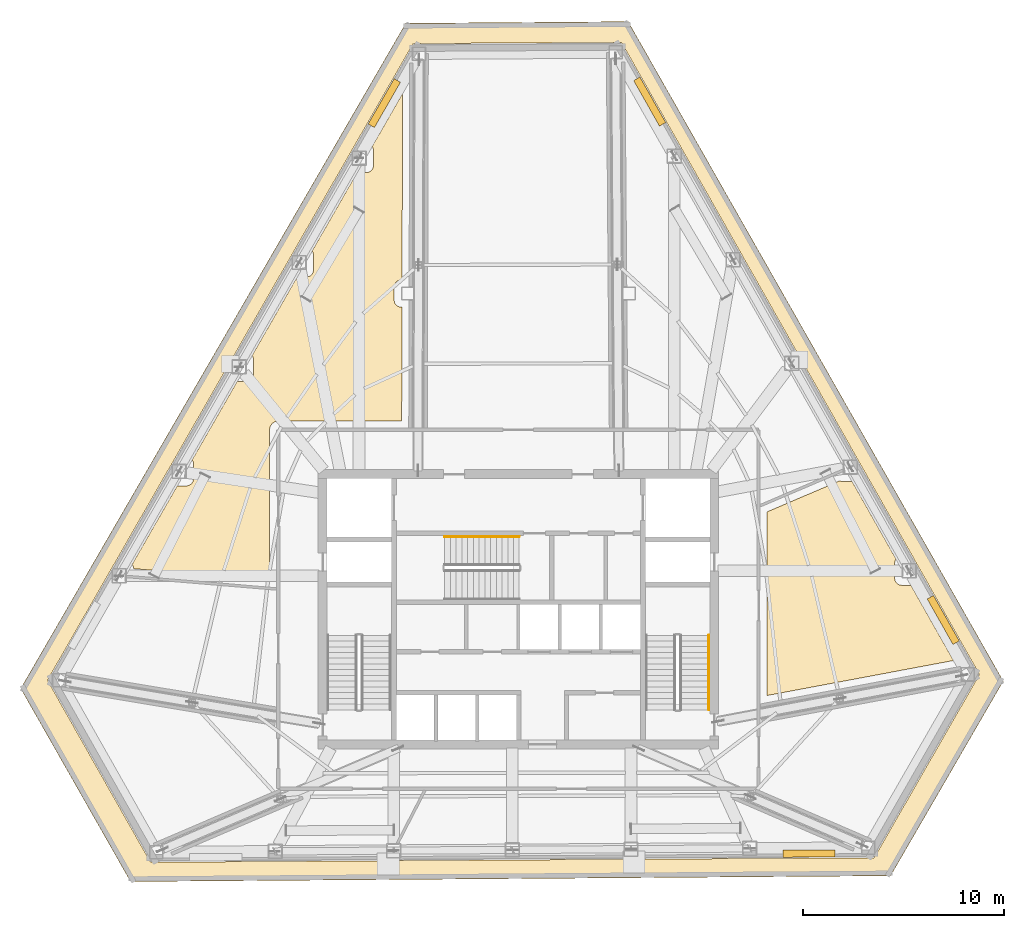
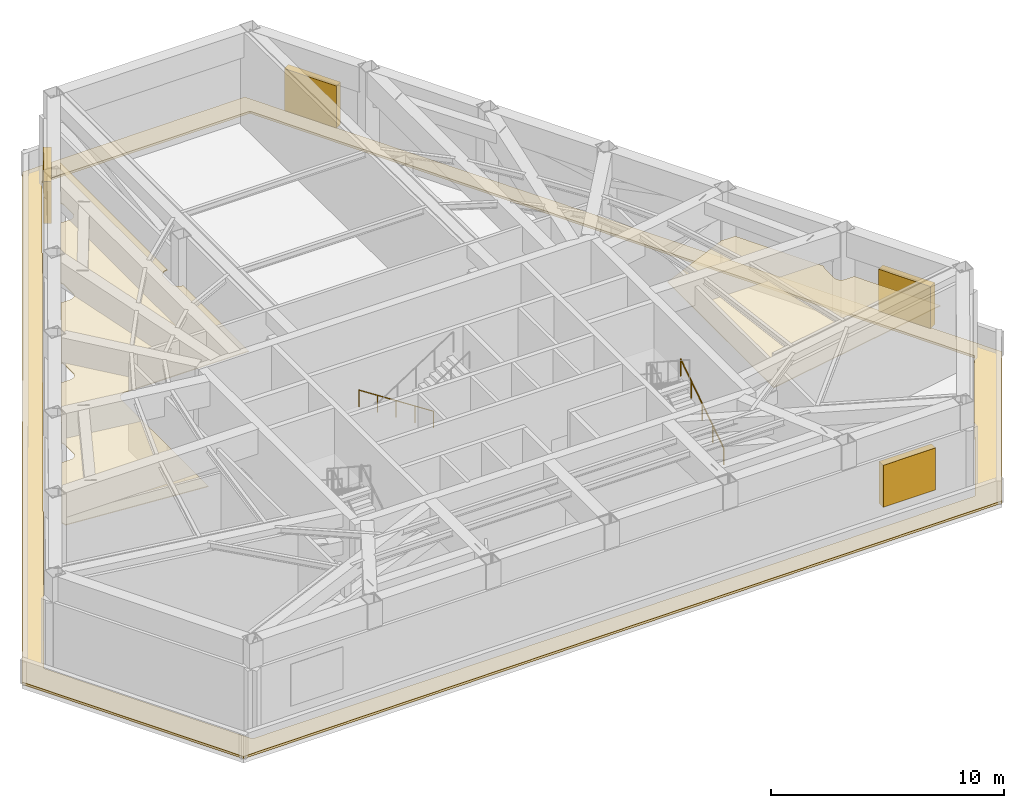
# One storey, part 13 of 13: 4 shading devices, 3 coverings, 2 railings.
"""IFC4 building model written with IfcOpenShell, lengths in metres."""

import ifcopenshell
import ifcopenshell.guid

model = None  # the IFC model being written
_history = None  # IfcOwnerHistory: only IFC2X3 demands one
_inside = {}  # id of a spatial element -> (the spatial element, [elements in it])
_under = {}  # id of a project, library or spatial element -> (it, [spatial elements below it])
_declared = {}  # id of a project -> (the project, [libraries it declares])
_typed = {}  # id of a type object -> (the type object, [elements of that type])
_made_of = {}  # id of a material, layer set ... -> (it, [elements and type objects made of it])


def new_model(schema):
    """Start an empty IFC model of exactly this schema.

    Asked for "IFC4X3", IfcOpenShell would pick the latest addendum, in which some entities
    have other attributes; the version numbers below select the first issue.
    IFC2X3 requires an IfcOwnerHistory on every rooted entity: one is made here for all.
    """
    global model, _history
    if schema == "IFC4X3":
        model = ifcopenshell.file(schema_version=(4, 3, 0, 0))
    else:
        model = ifcopenshell.file(schema=schema)
    _inside.clear()
    _under.clear()
    _declared.clear()
    _typed.clear()
    _made_of.clear()
    _history = None
    if model.schema == "IFC2X3":
        org = make("IfcOrganization", Name="unknown")
        user = make(
            "IfcPersonAndOrganization",
            ThePerson=make("IfcPerson", FamilyName="unknown"),
            TheOrganization=org,
        )
        app = make(
            "IfcApplication",
            ApplicationDeveloper=org,
            Version="unknown",
            ApplicationFullName="unknown",
            ApplicationIdentifier="unknown",
        )
        _history = make(
            "IfcOwnerHistory",
            OwningUser=user,
            OwningApplication=app,
            ChangeAction="ADDED",
            CreationDate=0,
        )
    return model


def make(cls, **values):
    """One entity of the class cls with the attributes given. An attribute that is None is left unset."""
    return model.create_entity(
        cls, **{name: value for name, value in values.items() if value is not None}
    )


def rooted(cls, **values):
    """An entity with a GlobalId (a new one), such as an element, a storey or a relation."""
    return make(cls, GlobalId=ifcopenshell.guid.new(), OwnerHistory=_history, **values)


def si_unit(unit_type, name, prefix=None):
    """IfcSIUnit, for example si_unit("LENGTHUNIT", "METRE", prefix="MILLI")."""
    return make("IfcSIUnit", UnitType=unit_type, Prefix=prefix, Name=name)


def assignment(units):
    """IfcUnitAssignment: the units of a project."""
    return None if units is None else make("IfcUnitAssignment", Units=units)


def point(xyz):
    """IfcCartesianPoint."""
    return None if xyz is None else make("IfcCartesianPoint", Coordinates=xyz)


def direction(xyz):
    """IfcDirection."""
    return None if xyz is None else make("IfcDirection", DirectionRatios=xyz)


def frame(location, z_axis=None, x_axis=None):
    """IfcAxis2Placement3D, a coordinate frame: its origin and axes. An axis left out is left unset."""
    return make(
        "IfcAxis2Placement3D",
        Location=point(location),
        Axis=direction(z_axis),
        RefDirection=direction(x_axis),
    )


def frame_2d(location, x_axis=None):
    """IfcAxis2Placement2D, a coordinate frame in the plane: its origin and x axis."""
    return make(
        "IfcAxis2Placement2D", Location=point(location), RefDirection=direction(x_axis)
    )


def origin():
    """The frame at (0, 0, 0) with its axes left unset."""
    return frame((0.0, 0.0, 0.0))


def origin_2d():
    """The frame at (0, 0) in the plane with its x axis left unset."""
    return frame_2d((0.0, 0.0))


def place(relative_to, where):
    """IfcLocalPlacement: puts the frame where relative to a parent placement (None: the world)."""
    return make(
        "IfcLocalPlacement", PlacementRelTo=relative_to, RelativePlacement=where
    )


def context(
    kind, dimensions, precision=None, world=None, true_north=None, identifier=None
):
    """IfcGeometricRepresentationContext, for example the 3D "Model" context."""
    return make(
        "IfcGeometricRepresentationContext",
        ContextIdentifier=identifier,
        ContextType=kind,
        CoordinateSpaceDimension=dimensions,
        Precision=precision,
        WorldCoordinateSystem=world,
        TrueNorth=true_north,
    )


def subcontext(parent, identifier, kind, view, scale=None):
    """IfcGeometricRepresentationSubContext, for example "Body" below "Model"."""
    return make(
        "IfcGeometricRepresentationSubContext",
        ContextIdentifier=identifier,
        ContextType=kind,
        ParentContext=parent,
        TargetScale=scale,
        TargetView=view,
    )


def project(units=None, contexts=None):
    """IfcProject with its units and contexts."""
    return rooted(
        "IfcProject",
        Name="project",
        RepresentationContexts=contexts,
        UnitsInContext=assignment(units),
    )


def spatial(cls, under=None, at=None, **own):
    """A site, building, storey or space (cls), placed at a placement, below another one or the project."""
    s = rooted(cls, ObjectPlacement=at, **own)
    if under is not None:
        _under.setdefault(under.id(), (under, []))[1].append(s)
    return s


def polyline(points):
    """IfcPolyline through the points."""
    return make("IfcPolyline", Points=[point(p) for p in points])


def profile(cls, at=None, kind="AREA", **sizes):
    """A parametric profile (cls). Its sizes go by their IFC names, for example OverallWidth=200.0."""
    return make(cls, ProfileType=kind, Position=at, **sizes)


def rectangle(**sizes):
    """IfcRectangleProfileDef."""
    return profile("IfcRectangleProfileDef", **sizes)


def circle(**sizes):
    """IfcCircleProfileDef."""
    return profile("IfcCircleProfileDef", **sizes)


def outline(outer, holes=None, kind="AREA"):
    """IfcArbitraryClosedProfileDef: a profile drawn as a closed curve; with holes, ...WithVoids."""
    if holes is None:
        return make("IfcArbitraryClosedProfileDef", ProfileType=kind, OuterCurve=outer)
    return make(
        "IfcArbitraryProfileDefWithVoids",
        ProfileType=kind,
        OuterCurve=outer,
        InnerCurves=holes,
    )


def extrude(swept, where, along, depth):
    """IfcExtrudedAreaSolid: the profile swept, set in the frame where, extruded along a direction by depth."""
    return make(
        "IfcExtrudedAreaSolid",
        SweptArea=swept,
        Position=where,
        ExtrudedDirection=direction(along),
        Depth=depth,
    )


def shape(context_of_items, identifier, shape_type, items):
    """IfcShapeRepresentation: the items that make up one representation, for example the "Body"."""
    return make(
        "IfcShapeRepresentation",
        ContextOfItems=context_of_items,
        RepresentationIdentifier=identifier,
        RepresentationType=shape_type,
        Items=items,
    )


def material(Name=None, Category=None):
    """IfcMaterial."""
    return make("IfcMaterial", Name=Name, Category=Category)


def layer(
    of_material, thickness, ventilated=None, Name=None, Category=None, Priority=None
):
    """IfcMaterialLayer: one layer of a wall or slab, of a material (None: an air gap)."""
    return make(
        "IfcMaterialLayer",
        Material=of_material,
        LayerThickness=thickness,
        IsVentilated=ventilated,
        Name=Name,
        Category=Category,
        Priority=Priority,
    )


def layer_set(layers, Name=None):
    """IfcMaterialLayerSet."""
    return make("IfcMaterialLayerSet", MaterialLayers=layers, LayerSetName=Name)


def made_of(thing, what):
    """Note that an element or type object is made of a material, layer set ...; save() writes the relation."""
    if what is not None:
        _made_of.setdefault(what.id(), (what, []))[1].append(thing)
    return thing


def type_object(cls, material=None, **own):
    """A type object (cls), such as IfcWallType, which elements share."""
    return made_of(rooted(cls, **own), material)


def element(
    cls,
    number,
    at=None,
    inside=None,
    cuts=None,
    type_object=None,
    material=None,
    context=None,
    identifier="Body",
    shape_type=None,
    held_by="IfcProductDefinitionShape",
    body=None,
    shapes=None,
    **own,
):
    """One element of the class cls, such as IfcWall. Its Tag is "e" and its number.

    at: its placement. inside: the storey or other place that contains it. cuts: it is an
    opening in that element (IfcRelVoidsElement). A single representation is given by context,
    identifier, shape_type and body (its items); several are given by shapes. held_by: the class
    of the entity that holds the representations. save() writes the other relations.
    """
    e = rooted(cls, Tag="e%d" % number, ObjectPlacement=at, **own)
    if body is not None:
        shapes = [shape(context, identifier, shape_type, body)]
    if shapes is not None:
        e.Representation = make(held_by, Representations=shapes)
    if inside is not None:
        _inside.setdefault(inside.id(), (inside, []))[1].append(e)
    if cuts is not None:
        rooted(
            "IfcRelVoidsElement", RelatingBuildingElement=cuts, RelatedOpeningElement=e
        )
    if type_object is not None:
        _typed.setdefault(type_object.id(), (type_object, []))[1].append(e)
    return made_of(e, material)


def aggregate(whole, parts):
    """IfcRelAggregates: a whole, such as a stair, and the parts it consists of."""
    return rooted("IfcRelAggregates", RelatingObject=whole, RelatedObjects=parts)


def save(model, path):
    """Write the relations noted so far, then the file.

    IfcRelAggregates (storeys below a building ...), IfcRelContainedInSpatialStructure (elements
    in a storey), IfcRelDefinesByType, IfcRelAssociatesMaterial and IfcRelDeclares: one each for
    every whole, place, type object, material and project.
    """
    for whole, parts in _under.values():
        aggregate(whole, parts)
    for where, things in _inside.values():
        rooted(
            "IfcRelContainedInSpatialStructure",
            RelatedElements=things,
            RelatingStructure=where,
        )
    for kind, things in _typed.values():
        rooted("IfcRelDefinesByType", RelatedObjects=things, RelatingType=kind)
    for what, things in _made_of.values():
        rooted("IfcRelAssociatesMaterial", RelatedObjects=things, RelatingMaterial=what)
    for by, libraries in _declared.values():
        rooted("IfcRelDeclares", RelatingContext=by, RelatedDefinitions=libraries)
    model.write(path)


model = new_model("IFC4")

# Units and contexts
model_context = context("Model", 3, precision=1e-05, world=origin(), true_north=direction((0.0, 1.0)))
body_context = subcontext(model_context, "Body", "Model", "MODEL_VIEW")
ifc_project = project(units=[si_unit("LENGTHUNIT", "METRE"), si_unit("AREAUNIT", "SQUARE_METRE"), si_unit("VOLUMEUNIT", "CUBIC_METRE"), si_unit("PLANEANGLEUNIT", "RADIAN"), si_unit("MASSUNIT", "GRAM", prefix="KILO")], contexts=[model_context])

# Site, building, storey
site_placement = place(None, origin())
site = spatial("IfcSite", under=ifc_project, at=site_placement, CompositionType="ELEMENT")
building_placement = place(site_placement, origin())
building = spatial("IfcBuilding", under=site, at=building_placement, Name="Kavelnor Concourse Tower", CompositionType="ELEMENT")
storey_placement = place(building_placement, frame((0.0, 0.0, 154.800048828125)))
storey = spatial("IfcBuildingStorey", under=building, at=storey_placement, Name="L39", CompositionType="ELEMENT", Elevation=154.800048828125)

# Coverings
ifc_material_1 = material(Name="Mineral fibre acoustic ceiling tile")
ifc_layer_1 = layer(ifc_material_1, 0.0400390625, Name="Mineral fibre acoustic ceiling tile")
ifc_layer_set_1 = layer_set([ifc_layer_1], Name="Mineral fibre acoustic ceiling tile")
covering_type_1 = type_object("IfcCoveringType", Name="COV-CEILING-ACOUSTIC", PredefinedType="CEILING", material=ifc_layer_set_1)
covering_1_placement = place(storey_placement, frame((0.0, 0.0, 2.75)))
element("IfcCovering", 1, at=covering_1_placement, inside=storey, type_object=covering_type_1, Name="L39 Suspended Acoustic Ceiling", PredefinedType="CEILING", context=body_context, shape_type="SweptSolid", body=[
    extrude(outline(polyline([(54.013427734375, 22.475341796875), (54.046630859375, 22.46337890625), (54.0810546875, 22.454833984375), (54.115966796875, 22.44970703125), (54.14306640625, 22.448486328125), (54.59716796875, 22.448486328125), (56.78271484375, 18.588623046875), (56.77099609375, 18.57275390625), (56.752685546875, 18.54248046875), (56.73779296875, 18.510498046875), (56.725830078125, 18.47705078125), (56.71728515625, 18.44287109375), (56.7119140625, 18.40771484375), (56.710693359375, 18.380859375), (56.710693359375, 17.644287109375), (56.7119140625, 17.6171875), (56.71728515625, 17.582275390625), (56.725830078125, 17.5478515625), (56.73779296875, 17.5146484375), (56.752685546875, 17.482666015625), (56.77099609375, 17.452392578125), (56.7919921875, 17.423828125), (56.81591796875, 17.397705078125), (56.842041015625, 17.373779296875), (56.87060546875, 17.352783203125), (56.90087890625, 17.334716796875), (56.932861328125, 17.319580078125), (56.966064453125, 17.3076171875), (57.00048828125, 17.299072265625), (57.035400390625, 17.293701171875), (57.0625, 17.29248046875), (57.5166015625, 17.29248046875), (59.635986328125, 13.54931640625), (50.37255859375, 11.810546875), (50.37255859375, 20.9453125), (53.98193359375, 22.490234375), (54.013427734375, 22.475341796875)])), origin(), (0.0, 0.0, 1.0), 0.0400390625),
])
covering_2_placement = place(storey_placement, frame((0.0, 0.0, 2.75)))
element("IfcCovering", 2, at=covering_2_placement, inside=storey, type_object=covering_type_1, Name="L39 Suspended Acoustic Ceiling", PredefinedType="CEILING", context=body_context, shape_type="SweptSolid", body=[
    extrude(outline(polyline([(21.03173828125, 22.235595703125), (21.49072265625, 22.235595703125), (21.517578125, 22.237060546875), (21.552734375, 22.2421875), (21.5869140625, 22.250732421875), (21.620361328125, 22.2626953125), (21.65234375, 22.27783203125), (21.6826171875, 22.2958984375), (21.7109375, 22.317138671875), (21.7373046875, 22.3408203125), (21.760986328125, 22.3671875), (21.781982421875, 22.3955078125), (21.80029296875, 22.42578125), (21.8154296875, 22.457763671875), (21.827392578125, 22.4912109375), (21.8359375, 22.525390625), (21.841064453125, 22.560302734375), (21.84228515625, 22.58740234375), (21.84228515625, 23.323974609375), (21.841064453125, 23.35107421875), (21.8359375, 23.385986328125), (21.827392578125, 23.42041015625), (21.8154296875, 23.45361328125), (21.80029296875, 23.485595703125), (21.781982421875, 23.515869140625), (21.773681640625, 23.52734375), (24.01513671875, 27.4296875), (24.47412109375, 27.4296875), (24.501220703125, 27.430908203125), (24.5361328125, 27.436279296875), (24.5703125, 27.44482421875), (24.603759765625, 27.456787109375), (24.6357421875, 27.4716796875), (24.666015625, 27.489990234375), (24.6943359375, 27.510986328125), (24.720703125, 27.534912109375), (24.744384765625, 27.56103515625), (24.765380859375, 27.589599609375), (24.78369140625, 27.619873046875), (24.798828125, 27.65185546875), (24.810791015625, 27.68505859375), (24.8193359375, 27.719482421875), (24.824462890625, 27.75439453125), (24.82568359375, 27.781494140625), (24.82568359375, 28.51806640625), (24.824462890625, 28.544921875), (24.8193359375, 28.580078125), (24.810791015625, 28.6142578125), (24.798828125, 28.647705078125), (24.78369140625, 28.6796875), (24.765380859375, 28.7099609375), (24.757080078125, 28.72119140625), (26.998291015625, 32.62353515625), (27.45751953125, 32.62353515625), (27.484375, 32.625), (27.519287109375, 32.630126953125), (27.5537109375, 32.638671875), (27.5869140625, 32.650634765625), (27.618896484375, 32.665771484375), (27.6494140625, 32.683837890625), (27.677734375, 32.705078125), (27.703857421875, 32.728759765625), (27.727783203125, 32.7548828125), (27.748779296875, 32.783447265625), (27.76708984375, 32.813720703125), (27.781982421875, 32.845703125), (27.7939453125, 32.87890625), (27.802490234375, 32.913330078125), (27.807861328125, 32.9482421875), (27.80908203125, 32.975341796875), (27.80908203125, 33.7119140625), (27.807861328125, 33.739013671875), (27.802490234375, 33.77392578125), (27.7939453125, 33.80810546875), (27.781982421875, 33.841552734375), (27.76708984375, 33.87353515625), (27.748779296875, 33.90380859375), (27.740234375, 33.915283203125), (29.981689453125, 37.8173828125), (30.440673828125, 37.8173828125), (30.4677734375, 37.81884765625), (30.502685546875, 37.823974609375), (30.537109375, 37.83251953125), (30.5703125, 37.844482421875), (30.602294921875, 37.859619140625), (30.632568359375, 37.877685546875), (30.660888671875, 37.89892578125), (30.687255859375, 37.922607421875), (30.7109375, 37.948974609375), (30.732177734375, 37.977294921875), (30.750244140625, 38.007568359375), (30.765380859375, 38.03955078125), (30.77734375, 38.072998046875), (30.785888671875, 38.107177734375), (30.791015625, 38.14208984375), (30.79248046875, 38.169189453125), (30.79248046875, 38.90576171875), (30.791015625, 38.932861328125), (30.785888671875, 38.9677734375), (30.77734375, 39.002197265625), (30.765380859375, 39.035400390625), (30.750244140625, 39.0673828125), (30.732177734375, 39.09765625), (30.7236328125, 39.109130859375), (32.23779296875, 41.745361328125), (32.21337890625, 32.47998046875), (32.17138671875, 32.47998046875), (32.144775390625, 32.478759765625), (32.109619140625, 32.473388671875), (32.075439453125, 32.46484375), (32.0419921875, 32.452880859375), (32.010009765625, 32.43798828125), (31.979736328125, 32.419677734375), (31.951416015625, 32.398681640625), (31.92529296875, 32.374755859375), (31.9013671875, 32.3486328125), (31.88037109375, 32.3203125), (31.862060546875, 32.289794921875), (31.846923828125, 32.2578125), (31.835205078125, 32.224609375), (31.826416015625, 32.190185546875), (31.8212890625, 32.1552734375), (31.820068359375, 32.12841796875), (31.820068359375, 31.4716796875), (31.8212890625, 31.444580078125), (31.826416015625, 31.40966796875), (31.835205078125, 31.37548828125), (31.846923828125, 31.342041015625), (31.862060546875, 31.31005859375), (31.88037109375, 31.27978515625), (31.9013671875, 31.25146484375), (31.92529296875, 31.22509765625), (31.951416015625, 31.201416015625), (31.979736328125, 31.180419921875), (32.010009765625, 31.162109375), (32.0419921875, 31.14697265625), (32.075439453125, 31.135009765625), (32.109619140625, 31.12646484375), (32.144775390625, 31.121337890625), (32.171630859375, 31.1201171875), (32.2099609375, 31.1201171875), (32.195068359375, 25.452392578125), (26.0517578125, 25.452392578125), (26.017578125, 25.45068359375), (25.9755859375, 25.444580078125), (25.934326171875, 25.434326171875), (25.894287109375, 25.419921875), (25.85595703125, 25.40185546875), (25.819580078125, 25.3798828125), (25.785400390625, 25.3544921875), (25.75390625, 25.326171875), (25.725341796875, 25.294677734375), (25.699951171875, 25.260498046875), (25.67822265625, 25.22412109375), (25.659912109375, 25.185791015625), (25.645751953125, 25.145751953125), (25.635498046875, 25.1044921875), (25.629150390625, 25.0625), (25.62744140625, 25.0283203125), (25.62744140625, 17.5517578125), (18.859130859375, 18.117919921875), (18.859130859375, 18.130126953125), (18.85791015625, 18.156982421875), (18.8525390625, 18.192138671875), (18.843994140625, 18.226318359375), (18.83203125, 18.259765625), (18.81689453125, 18.291748046875), (18.798828125, 18.322021484375), (18.790283203125, 18.33349609375), (21.03173828125, 22.235595703125)])), origin(), (0.0, 0.0, 1.0), 0.0400390625),
])
ifc_material_2 = material(Name="Elastomeric waterproofing membrane and rigid insulation")
ifc_layer_2 = layer(ifc_material_2, 0.1201171875, Name="Elastomeric waterproofing membrane and rigid insulation")
ifc_layer_set_2 = layer_set([ifc_layer_2], Name="Elastomeric waterproofing membrane and rigid insulation")
covering_type_2 = type_object("IfcCoveringType", Name="COV-ROOF-MEMBRANE", PredefinedType="ROOFING", material=ifc_layer_set_2)
covering_3_placement = place(storey_placement, origin())
element("IfcCovering", 3, at=covering_3_placement, inside=storey, type_object=covering_type_2, Name="L39 Setback Waterproofing Roof Membrane 1", PredefinedType="ROOFING", context=body_context, shape_type="SweptSolid", body=[
    extrude(outline(polyline([(62.114990234375, 12.526123046875), (56.509765625, 2.8408203125), (18.70654296875, 2.555419921875), (13.245849609375, 12.156982421875), (32.394775390625, 45.2431640625), (43.460693359375, 45.32666015625), (62.114990234375, 12.526123046875)]), holes=[polyline([(32.765380859375, 44.2294921875), (14.580078125, 12.569580078125), (19.704345703125, 3.519775390625), (55.691162109375, 3.74169921875), (60.925537109375, 12.85498046875), (43.12451171875, 44.29345703125), (32.765380859375, 44.2294921875)])]), origin(), (0.0, 0.0, 1.0), 0.119873046875),
])

# Railings
ifc_material_3 = material(Name="Steel Grade 350", Category="steel")
railing_type = type_object("IfcRailingType", Name="RLG-HANDRAIL-900", PredefinedType="HANDRAIL", material=ifc_material_3)
railing_1_placement = place(storey_placement, frame((47.469970703125, 11.10009765625, 0.185546875)))
element("IfcRailing", 4, at=railing_1_placement, inside=storey, type_object=railing_type, Name="L39 ST2 stair handrail 1", PredefinedType="HANDRAIL", context=body_context, shape_type="SweptSolid", body=[
    extrude(circle(Radius=0.02392578125, at=origin_2d()), frame((0.0, 0.0, 0.8759765625), z_axis=(0.0, 0.837806046772, 0.545967973412), x_axis=(-1.0, 0.0, 0.0)), (0.0, 0.0, 1.0), 4.422119140625),
    extrude(circle(Radius=0.02099609375, at=origin_2d()), origin(), (0.0, 0.0, 1.0), 0.851806640625),
    extrude(circle(Radius=0.02099609375, at=origin_2d()), frame((0.0, 0.92626953125, 0.603515625)), (0.0, 0.0, 1.0), 0.851806640625),
    extrude(circle(Radius=0.02099609375, at=origin_2d()), frame((0.0, 1.8525390625, 1.20703125)), (0.0, 0.0, 1.0), 0.851806640625),
    extrude(circle(Radius=0.02099609375, at=origin_2d()), frame((0.0, 2.778564453125, 1.810791015625)), (0.0, 0.0, 1.0), 0.851806640625),
    extrude(circle(Radius=0.02099609375, at=origin_2d()), frame((0.0, 3.704833984375, 2.414306640625)), (0.0, 0.0, 1.0), 0.851806640625),
])
railing_2_placement = place(storey_placement, frame((38.0400390625, 19.7099609375, 0.185546875)))
element("IfcRailing", 5, at=railing_2_placement, inside=storey, type_object=railing_type, Name="L39 ST3 stair handrail 1", PredefinedType="HANDRAIL", context=body_context, shape_type="SweptSolid", body=[
    extrude(circle(Radius=0.02392578125, at=origin_2d()), frame((0.0, 0.0, 0.8759765625), z_axis=(-0.837822502572, 0.0, 0.545942720607), x_axis=(0.0, -1.0, 0.0)), (0.0, 0.0, 1.0), 4.42236328125),
    extrude(circle(Radius=0.02099609375, at=origin_2d()), origin(), (0.0, 0.0, 1.0), 0.851806640625),
    extrude(circle(Radius=0.02099609375, at=origin_2d()), frame((-0.92626953125, 0.0, 0.603515625)), (0.0, 0.0, 1.0), 0.851806640625),
    extrude(circle(Radius=0.02099609375, at=origin_2d()), frame((-1.8525390625, 0.0, 1.20703125)), (0.0, 0.0, 1.0), 0.851806640625),
    extrude(circle(Radius=0.02099609375, at=origin_2d()), frame((-2.77880859375, 0.0, 1.810791015625)), (0.0, 0.0, 1.0), 0.851806640625),
    extrude(circle(Radius=0.02099609375, at=origin_2d()), frame((-3.705078125, 0.0, 2.414306640625)), (0.0, 0.0, 1.0), 0.851806640625),
])

# Shading devices
ifc_material_4 = material(Name="Architectural bronze-anodised aluminium", Category="aluminium")
ifc_layer_3 = layer(ifc_material_4, 0.074951171875, Name="Architectural bronze-anodised aluminium")
ifc_layer_set_3 = layer_set([ifc_layer_3], Name="Architectural bronze-anodised aluminium")
shading_device_type = type_object("IfcShadingDeviceType", Name="SHD-PLANT-LOUVRE", PredefinedType="USERDEFINED", material=ifc_layer_set_3)
for number, where, z_axis, x_axis, name in (
    (6, (31.329833984375, 41.268798828125, 1.10009765625), (0.0, 0.0, 1.0), (0.498033765367, 0.867157637662, 0.0), "L39 Plant Acoustic Intake Louvre F0-B0"),
    (7, (52.451904296875, 3.95166015625, 1.10009765625), (0.0, 0.0, 1.0), (-0.999981342241, -0.006108614391, 0.0), "L39 Plant Acoustic Intake Louvre F1-B5"),
    (8, (59.125244140625, 15.567626953125, 1.10009765625), (0.0, 0.0, 1.0), (0.492727341548, -0.87018375467, 0.0), "L39 Plant Acoustic Intake Louvre F2-B0"),
    (9, (44.528564453125, 41.3466796875, 1.10009765625), (0.0, 0.0, 1.0), (0.492727341548, -0.87018375467, 0.0), "L39 Plant Acoustic Intake Louvre F2-B5"),
):
    element("IfcShadingDevice", number, at=place(storey_placement, frame(where, z_axis=z_axis, x_axis=x_axis)), inside=storey, type_object=shading_device_type, Name=name, ObjectType="LOUVRE", PredefinedType="USERDEFINED", context=body_context, shape_type="SweptSolid", body=[
        extrude(rectangle(XDim=2.60009765625, YDim=0.360107421875, at=origin_2d()), origin(), (0.0, 0.0, 1.0), 2.199951171875),
    ])

save(model, "model.ifc")
